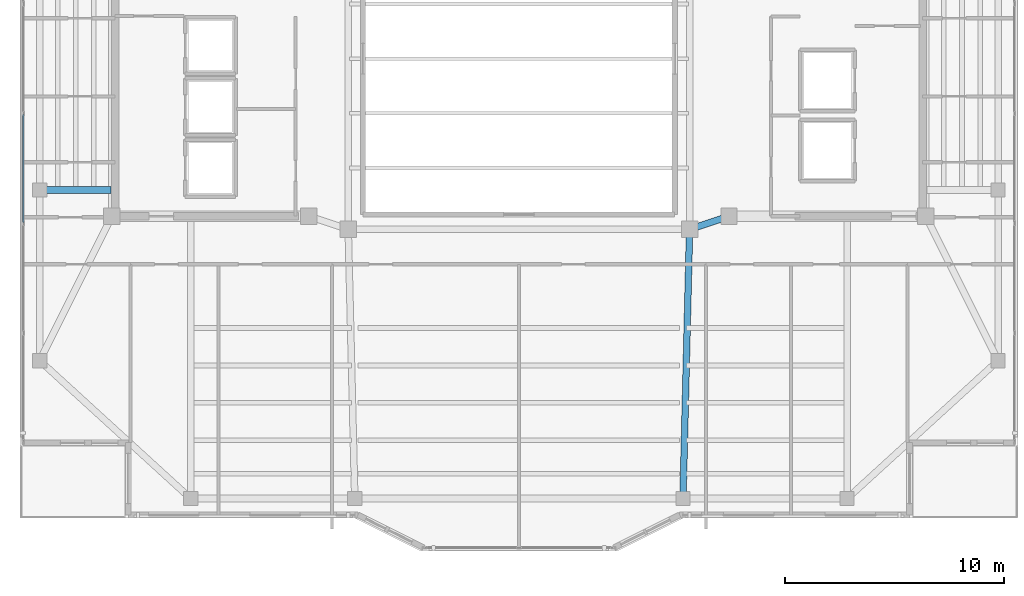
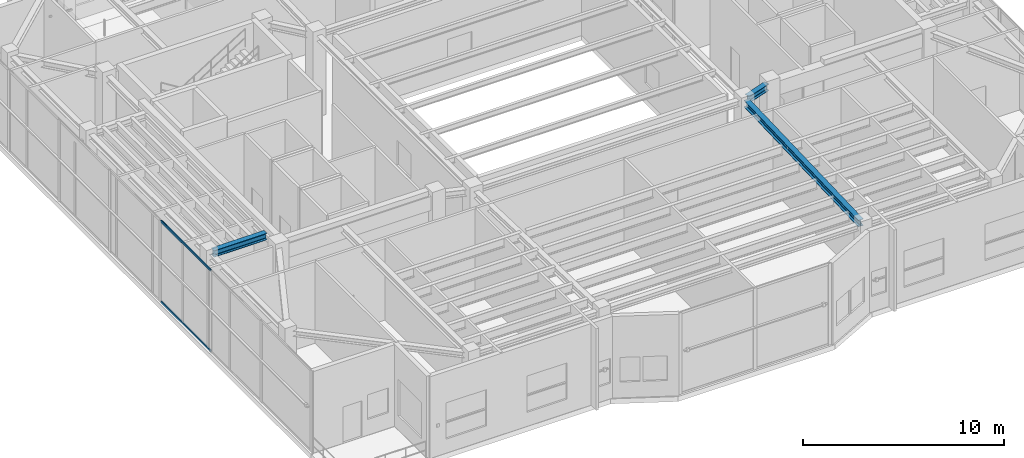
# One storey, part 4 of 23: 3 beams, 2 members, 1 element without a shape of its own.
"""IFC4 building model written with IfcOpenShell, lengths in metres."""

import ifcopenshell
import ifcopenshell.guid

model = None  # the IFC model being written
_history = None  # IfcOwnerHistory: only IFC2X3 demands one
_inside = {}  # id of a spatial element -> (the spatial element, [elements in it])
_under = {}  # id of a project, library or spatial element -> (it, [spatial elements below it])
_declared = {}  # id of a project -> (the project, [libraries it declares])
_typed = {}  # id of a type object -> (the type object, [elements of that type])
_made_of = {}  # id of a material, layer set ... -> (it, [elements and type objects made of it])


def new_model(schema):
    """Start an empty IFC model of exactly this schema.

    Asked for "IFC4X3", IfcOpenShell would pick the latest addendum, in which some entities
    have other attributes; the version numbers below select the first issue.
    IFC2X3 requires an IfcOwnerHistory on every rooted entity: one is made here for all.
    """
    global model, _history
    if schema == "IFC4X3":
        model = ifcopenshell.file(schema_version=(4, 3, 0, 0))
    else:
        model = ifcopenshell.file(schema=schema)
    _inside.clear()
    _under.clear()
    _declared.clear()
    _typed.clear()
    _made_of.clear()
    _history = None
    if model.schema == "IFC2X3":
        org = make("IfcOrganization", Name="unknown")
        user = make(
            "IfcPersonAndOrganization",
            ThePerson=make("IfcPerson", FamilyName="unknown"),
            TheOrganization=org,
        )
        app = make(
            "IfcApplication",
            ApplicationDeveloper=org,
            Version="unknown",
            ApplicationFullName="unknown",
            ApplicationIdentifier="unknown",
        )
        _history = make(
            "IfcOwnerHistory",
            OwningUser=user,
            OwningApplication=app,
            ChangeAction="ADDED",
            CreationDate=0,
        )
    return model


def make(cls, **values):
    """One entity of the class cls with the attributes given. An attribute that is None is left unset."""
    return model.create_entity(
        cls, **{name: value for name, value in values.items() if value is not None}
    )


def rooted(cls, **values):
    """An entity with a GlobalId (a new one), such as an element, a storey or a relation."""
    return make(cls, GlobalId=ifcopenshell.guid.new(), OwnerHistory=_history, **values)


def si_unit(unit_type, name, prefix=None):
    """IfcSIUnit, for example si_unit("LENGTHUNIT", "METRE", prefix="MILLI")."""
    return make("IfcSIUnit", UnitType=unit_type, Prefix=prefix, Name=name)


def assignment(units):
    """IfcUnitAssignment: the units of a project."""
    return None if units is None else make("IfcUnitAssignment", Units=units)


def point(xyz):
    """IfcCartesianPoint."""
    return None if xyz is None else make("IfcCartesianPoint", Coordinates=xyz)


def direction(xyz):
    """IfcDirection."""
    return None if xyz is None else make("IfcDirection", DirectionRatios=xyz)


def frame(location, z_axis=None, x_axis=None):
    """IfcAxis2Placement3D, a coordinate frame: its origin and axes. An axis left out is left unset."""
    return make(
        "IfcAxis2Placement3D",
        Location=point(location),
        Axis=direction(z_axis),
        RefDirection=direction(x_axis),
    )


def frame_2d(location, x_axis=None):
    """IfcAxis2Placement2D, a coordinate frame in the plane: its origin and x axis."""
    return make(
        "IfcAxis2Placement2D", Location=point(location), RefDirection=direction(x_axis)
    )


def origin():
    """The frame at (0, 0, 0) with its axes left unset."""
    return frame((0.0, 0.0, 0.0))


def origin_2d():
    """The frame at (0, 0) in the plane with its x axis left unset."""
    return frame_2d((0.0, 0.0))


def place(relative_to, where):
    """IfcLocalPlacement: puts the frame where relative to a parent placement (None: the world)."""
    return make(
        "IfcLocalPlacement", PlacementRelTo=relative_to, RelativePlacement=where
    )


def context(
    kind, dimensions, precision=None, world=None, true_north=None, identifier=None
):
    """IfcGeometricRepresentationContext, for example the 3D "Model" context."""
    return make(
        "IfcGeometricRepresentationContext",
        ContextIdentifier=identifier,
        ContextType=kind,
        CoordinateSpaceDimension=dimensions,
        Precision=precision,
        WorldCoordinateSystem=world,
        TrueNorth=true_north,
    )


def subcontext(parent, identifier, kind, view, scale=None):
    """IfcGeometricRepresentationSubContext, for example "Body" below "Model"."""
    return make(
        "IfcGeometricRepresentationSubContext",
        ContextIdentifier=identifier,
        ContextType=kind,
        ParentContext=parent,
        TargetScale=scale,
        TargetView=view,
    )


def project(units=None, contexts=None):
    """IfcProject with its units and contexts."""
    return rooted(
        "IfcProject",
        Name="project",
        RepresentationContexts=contexts,
        UnitsInContext=assignment(units),
    )


def spatial(cls, under=None, at=None, **own):
    """A site, building, storey or space (cls), placed at a placement, below another one or the project."""
    s = rooted(cls, ObjectPlacement=at, **own)
    if under is not None:
        _under.setdefault(under.id(), (under, []))[1].append(s)
    return s


def profile(cls, at=None, kind="AREA", **sizes):
    """A parametric profile (cls). Its sizes go by their IFC names, for example OverallWidth=200.0."""
    return make(cls, ProfileType=kind, Position=at, **sizes)


def hollow_rectangle(**sizes):
    """IfcRectangleHollowProfileDef."""
    return profile("IfcRectangleHollowProfileDef", **sizes)


def i_section(**sizes):
    """IfcIShapeProfileDef."""
    return profile("IfcIShapeProfileDef", **sizes)


def extrude(swept, where, along, depth):
    """IfcExtrudedAreaSolid: the profile swept, set in the frame where, extruded along a direction by depth."""
    return make(
        "IfcExtrudedAreaSolid",
        SweptArea=swept,
        Position=where,
        ExtrudedDirection=direction(along),
        Depth=depth,
    )


def shape(context_of_items, identifier, shape_type, items):
    """IfcShapeRepresentation: the items that make up one representation, for example the "Body"."""
    return make(
        "IfcShapeRepresentation",
        ContextOfItems=context_of_items,
        RepresentationIdentifier=identifier,
        RepresentationType=shape_type,
        Items=items,
    )


def material(Name=None, Category=None):
    """IfcMaterial."""
    return make("IfcMaterial", Name=Name, Category=Category)


def layer(
    of_material, thickness, ventilated=None, Name=None, Category=None, Priority=None
):
    """IfcMaterialLayer: one layer of a wall or slab, of a material (None: an air gap)."""
    return make(
        "IfcMaterialLayer",
        Material=of_material,
        LayerThickness=thickness,
        IsVentilated=ventilated,
        Name=Name,
        Category=Category,
        Priority=Priority,
    )


def layer_set(layers, Name=None):
    """IfcMaterialLayerSet."""
    return make("IfcMaterialLayerSet", MaterialLayers=layers, LayerSetName=Name)


def material_profile(
    of_material, cross_section, Name=None, Category=None, Priority=None
):
    """IfcMaterialProfile: a cross section and its material."""
    return make(
        "IfcMaterialProfile",
        Name=Name,
        Material=of_material,
        Profile=cross_section,
        Priority=Priority,
        Category=Category,
    )


def profile_set(profiles, Name=None, composite=None):
    """IfcMaterialProfileSet."""
    return make(
        "IfcMaterialProfileSet",
        Name=Name,
        MaterialProfiles=profiles,
        CompositeProfile=composite,
    )


def made_of(thing, what):
    """Note that an element or type object is made of a material, layer set ...; save() writes the relation."""
    if what is not None:
        _made_of.setdefault(what.id(), (what, []))[1].append(thing)
    return thing


def type_object(cls, material=None, **own):
    """A type object (cls), such as IfcWallType, which elements share."""
    return made_of(rooted(cls, **own), material)


def element(
    cls,
    number,
    at=None,
    inside=None,
    cuts=None,
    type_object=None,
    material=None,
    context=None,
    identifier="Body",
    shape_type=None,
    held_by="IfcProductDefinitionShape",
    body=None,
    shapes=None,
    **own,
):
    """One element of the class cls, such as IfcWall. Its Tag is "e" and its number.

    at: its placement. inside: the storey or other place that contains it. cuts: it is an
    opening in that element (IfcRelVoidsElement). A single representation is given by context,
    identifier, shape_type and body (its items); several are given by shapes. held_by: the class
    of the entity that holds the representations. save() writes the other relations.
    """
    e = rooted(cls, Tag="e%d" % number, ObjectPlacement=at, **own)
    if body is not None:
        shapes = [shape(context, identifier, shape_type, body)]
    if shapes is not None:
        e.Representation = make(held_by, Representations=shapes)
    if inside is not None:
        _inside.setdefault(inside.id(), (inside, []))[1].append(e)
    if cuts is not None:
        rooted(
            "IfcRelVoidsElement", RelatingBuildingElement=cuts, RelatedOpeningElement=e
        )
    if type_object is not None:
        _typed.setdefault(type_object.id(), (type_object, []))[1].append(e)
    return made_of(e, material)


def aggregate(whole, parts):
    """IfcRelAggregates: a whole, such as a stair, and the parts it consists of."""
    return rooted("IfcRelAggregates", RelatingObject=whole, RelatedObjects=parts)


def save(model, path):
    """Write the relations noted so far, then the file.

    IfcRelAggregates (storeys below a building ...), IfcRelContainedInSpatialStructure (elements
    in a storey), IfcRelDefinesByType, IfcRelAssociatesMaterial and IfcRelDeclares: one each for
    every whole, place, type object, material and project.
    """
    for whole, parts in _under.values():
        aggregate(whole, parts)
    for where, things in _inside.values():
        rooted(
            "IfcRelContainedInSpatialStructure",
            RelatedElements=things,
            RelatingStructure=where,
        )
    for kind, things in _typed.values():
        rooted("IfcRelDefinesByType", RelatedObjects=things, RelatingType=kind)
    for what, things in _made_of.values():
        rooted("IfcRelAssociatesMaterial", RelatedObjects=things, RelatingMaterial=what)
    for by, libraries in _declared.values():
        rooted("IfcRelDeclares", RelatingContext=by, RelatedDefinitions=libraries)
    model.write(path)


model = new_model("IFC4")

# Units and contexts
model_context = context("Model", 3, precision=1e-05, world=origin(), true_north=direction((0.0, 1.0)))
body_context = subcontext(model_context, "Body", "Model", "MODEL_VIEW")
ifc_project = project(units=[si_unit("LENGTHUNIT", "METRE"), si_unit("AREAUNIT", "SQUARE_METRE"), si_unit("VOLUMEUNIT", "CUBIC_METRE"), si_unit("PLANEANGLEUNIT", "RADIAN"), si_unit("MASSUNIT", "GRAM", prefix="KILO")], contexts=[model_context])

# Site, building, storey
site_placement = place(None, origin())
site = spatial("IfcSite", under=ifc_project, at=site_placement, CompositionType="ELEMENT")
building_placement = place(site_placement, origin())
building = spatial("IfcBuilding", under=site, at=building_placement, Name="Tarnavaz Court Tower", CompositionType="ELEMENT")
storey_placement = place(building_placement, frame((0.0, 0.0, 276.300048828125)))
storey = spatial("IfcBuildingStorey", under=building, at=storey_placement, Name="L75", CompositionType="ELEMENT", Elevation=276.300048828125)

# Beams
ifc_material_1 = material(Name="Steel S355", Category="steel")
ifc_material_profile_1 = material_profile(ifc_material_1, i_section(OverallWidth=0.300048828125, OverallDepth=0.39990234375, WebThickness=0.013427734375, FlangeThickness=0.02392578125, FilletRadius=0.027099609375, at=origin_2d()), Name="HEB 400")
ifc_profile_set_1 = profile_set([ifc_material_profile_1], Name="Steel S355")
beam_type = type_object("IfcBeamType", Name="BM-G-HEB400", PredefinedType="USERDEFINED", material=ifc_profile_set_1)
beam_1_placement = place(storey_placement, frame((9.391357421875, -7.26953125, 4.75), z_axis=(-0.948666544706, -0.316278021615, 0.0), x_axis=(0.316278021615, -0.948666544706, 0.0)))
element("IfcBeam", 1, at=beam_1_placement, inside=storey, type_object=beam_type, Name="L75 Beam IN-CE-SI-IW-SE", ObjectType="GIRDER", PredefinedType="USERDEFINED", context=body_context, shape_type="SweptSolid", body=[
    extrude(i_section(OverallWidth=0.300048828125, OverallDepth=0.39990234375, WebThickness=0.013427734375, FlangeThickness=0.02392578125, FilletRadius=0.027099609375, at=origin_2d()), origin(), (0.0, 0.0, 1.0), 1.457275390625),
])
beam_2_placement = place(storey_placement, frame((7.794677734375, -8.02001953125, 4.75), z_axis=(-0.024386002211, -0.99970261723, 0.0), x_axis=(0.99970261723, -0.024386002211, 0.0)))
element("IfcBeam", 2, at=beam_2_placement, inside=storey, type_object=beam_type, Name="L75 Beam RG-07", ObjectType="GIRDER", PredefinedType="USERDEFINED", context=body_context, shape_type="SweptSolid", body=[
    extrude(i_section(OverallWidth=0.300048828125, OverallDepth=0.39990234375, WebThickness=0.013427734375, FlangeThickness=0.02392578125, FilletRadius=0.027099609375, at=origin_2d()), origin(), (0.0, 0.0, 1.0), 11.863525390625),
])
beam_3_placement = place(storey_placement, frame((-18.639892578125, -6.0, 4.75), z_axis=(-1.0, 0.0, 0.0), x_axis=(0.0, -1.0, 0.0)))
element("IfcBeam", 3, at=beam_3_placement, inside=storey, type_object=beam_type, Name="L75 Beam RG-13", ObjectType="GIRDER", PredefinedType="USERDEFINED", context=body_context, shape_type="SweptSolid", body=[
    extrude(i_section(OverallWidth=0.300048828125, OverallDepth=0.39990234375, WebThickness=0.013427734375, FlangeThickness=0.02392578125, FilletRadius=0.027099609375, at=origin_2d()), origin(), (0.0, 0.0, 1.0), 3.0400390625),
])

# Curtain wall, members
ifc_material_2 = material(Name="Anodised Aluminium 6063-T6 and Solar Low-E Glazing", Category="aluminium")
ifc_layer = layer(ifc_material_2, 0.2099609375)
ifc_layer_set = layer_set([ifc_layer], Name="Anodised Aluminium 6063-T6 and Solar Low-E Glazing")
curtain_wall_type = type_object("IfcCurtainWallType", Name="CW-SYS-06", PredefinedType="NOTDEFINED", material=ifc_layer_set)
curtain_wall_placement = place(storey_placement, origin())
curtain_wall = element("IfcCurtainWall", 4, at=curtain_wall_placement, inside=storey, type_object=curtain_wall_type, Name="L75 Observation Curtain Wall 2", PredefinedType="NOTDEFINED")
ifc_material_3 = material(Name="Anodised Aluminium 6063-T6", Category="aluminium")
ifc_material_profile_2 = material_profile(ifc_material_3, hollow_rectangle(XDim=0.06494140625, YDim=0.139892578125, WallThickness=0.00390625, InnerFilletRadius=0.00390625, OuterFilletRadius=0.008056640625, at=origin_2d()), Name="ALU RHS 140X65X4")
ifc_profile_set_2 = profile_set([ifc_material_profile_2], Name="Anodised Aluminium 6063-T6")
member_type = type_object("IfcMemberType", Name="CW-TRN-140", PredefinedType="USERDEFINED", material=ifc_profile_set_2)
member_1_placement = place(storey_placement, frame((-22.64990234375, -7.47900390625, 0.032470703125), z_axis=(0.0, 1.0, 0.0), x_axis=(-1.0, 0.0, 0.0)))
member_1 = element("IfcMember", 5, at=member_1_placement, type_object=member_type, Name="CW transom 3.1", ObjectType="TRANSOM", PredefinedType="USERDEFINED", context=body_context, shape_type="SweptSolid", body=[
    extrude(hollow_rectangle(XDim=0.06494140625, YDim=0.139892578125, WallThickness=0.00390625, InnerFilletRadius=0.00390625, OuterFilletRadius=0.008056640625, at=origin_2d()), origin(), (0.0, 0.0, 1.0), 4.929443359375),
])
member_2_placement = place(storey_placement, frame((-22.64990234375, -7.47900390625, 4.91748046875), z_axis=(0.0, 1.0, 0.0), x_axis=(-1.0, 0.0, 0.0)))
member_2 = element("IfcMember", 6, at=member_2_placement, type_object=member_type, Name="CW transom 3.2", ObjectType="TRANSOM", PredefinedType="USERDEFINED", context=body_context, shape_type="SweptSolid", body=[
    extrude(hollow_rectangle(XDim=0.06494140625, YDim=0.139892578125, WallThickness=0.00390625, InnerFilletRadius=0.00390625, OuterFilletRadius=0.008056640625, at=origin_2d()), origin(), (0.0, 0.0, 1.0), 4.929443359375),
])
aggregate(curtain_wall, [member_1, member_2])

save(model, "model.ifc")
